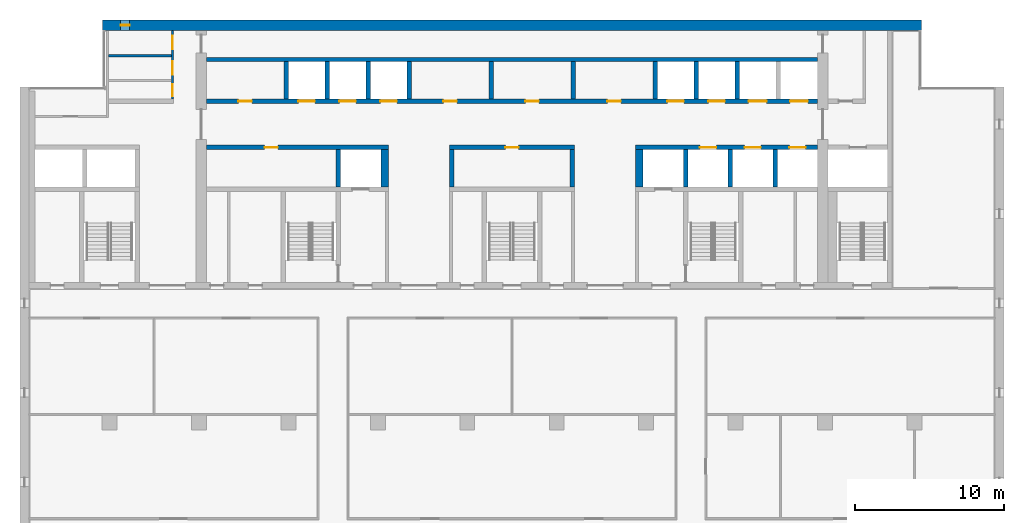
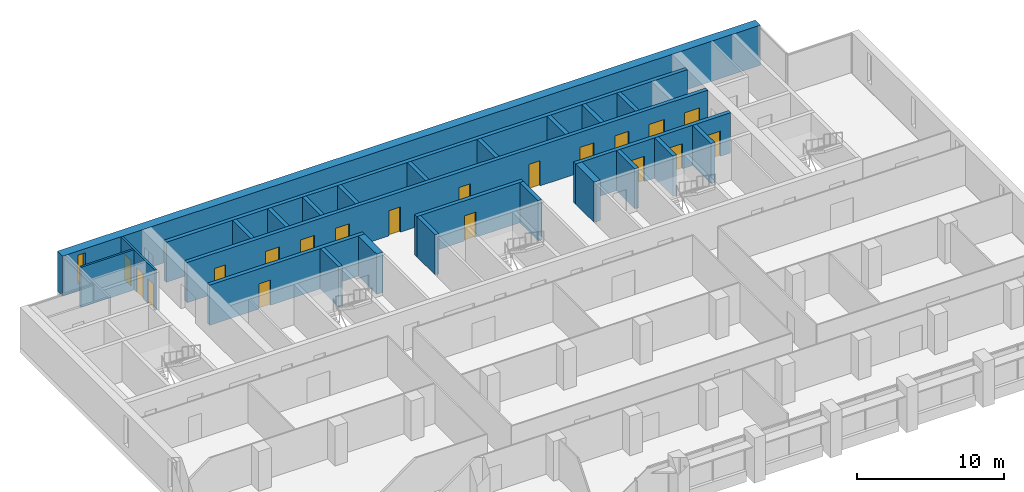
# One storey, part 11 of 17: 25 walls, 19 doors, 1 window, 20 openings.
"""IFC4 building model written with IfcOpenShell, lengths in metres."""

from ifc_helpers import new_model, si_unit, direction, frame, frame_2d, origin, place, context, subcontext, project, spatial, rectangle, extrude, material, layer, layer_set, type_object, element, fill, save


model = new_model("IFC4")

# Units and contexts
model_context = context("Model", 3, precision=1e-05, world=origin(), true_north=direction((0.0, 1.0)))
body_context = subcontext(model_context, "Body", "Model", "MODEL_VIEW")
ifc_project = project(units=[si_unit("LENGTHUNIT", "METRE"), si_unit("AREAUNIT", "SQUARE_METRE"), si_unit("VOLUMEUNIT", "CUBIC_METRE"), si_unit("PLANEANGLEUNIT", "RADIAN"), si_unit("MASSUNIT", "GRAM", prefix="KILO")], contexts=[model_context])

# Site, building, storey
site_placement = place(None, origin())
site = spatial("IfcSite", under=ifc_project, at=site_placement, CompositionType="ELEMENT")
building_placement = place(site_placement, origin())
building = spatial("IfcBuilding", under=site, at=building_placement, Name="Calvaro Tower", CompositionType="ELEMENT")
storey_placement = place(building_placement, frame((0.0, 0.0, 215.5)))
storey = spatial("IfcBuildingStorey", under=building, at=storey_placement, Name="L54", CompositionType="ELEMENT", Elevation=215.5)

# Wall
ifc_material_1 = material(Name="Blockwork partition", Category="masonry")
ifc_layer_1 = layer(ifc_material_1, 0.14990234375)
ifc_layer_set_1 = layer_set([ifc_layer_1], Name="Blockwork partition")
wall_type_1 = type_object("IfcWallType", Name="Core partition 150 EI 60", PredefinedType="PARTITIONING", material=ifc_layer_set_1)
wall_1_placement = place(storey_placement, frame((11.949951171875, 43.60009765625, 0.0), z_axis=(0.0, 0.0, 1.0), x_axis=(1.0, 0.0, 0.0)))
element("IfcWall", 1, at=wall_1_placement, inside=storey, type_object=wall_type_1, Name="Core partition", PredefinedType="PARTITIONING", context=body_context, shape_type="SweptSolid", body=[
    extrude(rectangle(XDim=4.199951171875, YDim=0.14990234375, at=frame_2d((2.10009765625, 0.0))), origin(), (0.0, 0.0, 1.0), 3.35009765625),
])

# Wall, openings, doors
ifc_material_2 = material(Name="Blockwork partition", Category="masonry")
ifc_layer_2 = layer(ifc_material_2, 0.14990234375)
ifc_layer_set_2 = layer_set([ifc_layer_2], Name="Blockwork partition")
wall_type_2 = type_object("IfcWallType", Name="Core partition 150 REI 120", PredefinedType="PARTITIONING", material=ifc_layer_set_2)
wall_2_placement = place(storey_placement, frame((16.22509765625, 45.300048828125, 0.0), z_axis=(0.0, 0.0, 1.0), x_axis=(0.0, -1.0, 0.0)))
wall_2 = element("IfcWall", 2, at=wall_2_placement, inside=storey, type_object=wall_type_2, Name="Core partition", PredefinedType="PARTITIONING", context=body_context, shape_type="SweptSolid", body=[
    extrude(rectangle(XDim=4.60009765625, YDim=0.14990234375, at=frame_2d((2.300048828125, 0.0))), origin(), (0.0, 0.0, 1.0), 3.35009765625),
])
opening_1_placement = place(wall_2_placement, frame((3.612548828125, 0.0, 0.0)))
opening_1 = element("IfcOpeningElement", 3, at=opening_1_placement, cuts=wall_2, Name="Opening RD8C", PredefinedType="OPENING", context=body_context, shape_type="SweptSolid", body=[
    extrude(rectangle(XDim=0.800048828125, YDim=2.10009765625, at=frame_2d((0.39990234375, 1.050048828125))), frame((0.0, 0.0849609375, 0.0), z_axis=(0.0, -1.0, 0.0), x_axis=(1.0, 0.0, 0.0)), (0.0, 0.0, 1.0), 0.169921875),
])
opening_2_placement = place(wall_2_placement, frame((2.074951171875, 0.0, 0.0)))
opening_2 = element("IfcOpeningElement", 4, at=opening_2_placement, cuts=wall_2, Name="Opening RD9", PredefinedType="OPENING", context=body_context, shape_type="SweptSolid", body=[
    extrude(rectangle(XDim=0.89990234375, YDim=2.10009765625, at=frame_2d((0.449951171875, 1.050048828125))), frame((0.0, 0.0849609375, 0.0), z_axis=(0.0, -1.0, 0.0), x_axis=(1.0, 0.0, 0.0)), (0.0, 0.0, 1.0), 0.169921875),
])
opening_3_placement = place(wall_2_placement, frame((0.362548828125, 0.0, 0.0)))
opening_3 = element("IfcOpeningElement", 5, at=opening_3_placement, cuts=wall_2, Name="Opening RD9", PredefinedType="OPENING", context=body_context, shape_type="SweptSolid", body=[
    extrude(rectangle(XDim=0.89990234375, YDim=2.10009765625, at=frame_2d((0.449951171875, 1.050048828125))), frame((0.0, 0.0849609375, 0.0), z_axis=(0.0, -1.0, 0.0), x_axis=(1.0, 0.0, 0.0)), (0.0, 0.0, 1.0), 0.169921875),
])
ifc_material_3 = material(Name="Steel door set", Category="steel")
door_type_1 = type_object("IfcDoorType", Name="Room door 800 FD30", OperationType="SINGLE_SWING_LEFT", PredefinedType="DOOR", material=ifc_material_3)
door_1_placement = place(opening_1_placement, origin())
door_1 = element("IfcDoor", 6, at=door_1_placement, inside=storey, type_object=door_type_1, Name="Room door", OperationType="SINGLE_SWING_RIGHT", OverallHeight=2.10009765625, OverallWidth=0.800048828125, PredefinedType="DOOR", context=body_context, shape_type="SweptSolid", body=[
    extrude(rectangle(XDim=0.800048828125, YDim=2.10009765625, at=frame_2d((0.39990234375, 1.050048828125))), frame((0.0, 0.02490234375, 0.0), z_axis=(0.0, -1.0, 0.0), x_axis=(1.0, 0.0, 0.0)), (0.0, 0.0, 1.0), 0.050048828125),
])
fill(opening_1, door_1)
ifc_material_4 = material(Name="Steel door set", Category="steel")
door_type_2 = type_object("IfcDoorType", Name="Room door 900", OperationType="SINGLE_SWING_LEFT", PredefinedType="DOOR", material=ifc_material_4)
door_2_placement = place(opening_2_placement, origin())
door_2 = element("IfcDoor", 7, at=door_2_placement, inside=storey, type_object=door_type_2, Name="Room door", OperationType="SINGLE_SWING_RIGHT", OverallHeight=2.10009765625, OverallWidth=0.89990234375, PredefinedType="DOOR", context=body_context, shape_type="SweptSolid", body=[
    extrude(rectangle(XDim=0.89990234375, YDim=2.10009765625, at=frame_2d((0.449951171875, 1.050048828125))), frame((0.0, 0.02490234375, 0.0), z_axis=(0.0, -1.0, 0.0), x_axis=(1.0, 0.0, 0.0)), (0.0, 0.0, 1.0), 0.050048828125),
])
fill(opening_2, door_2)
door_3_placement = place(opening_3_placement, origin())
door_3 = element("IfcDoor", 8, at=door_3_placement, inside=storey, type_object=door_type_2, Name="Room door", OperationType="SINGLE_SWING_RIGHT", OverallHeight=2.10009765625, OverallWidth=0.89990234375, PredefinedType="DOOR", context=body_context, shape_type="SweptSolid", body=[
    extrude(rectangle(XDim=0.89990234375, YDim=2.10009765625, at=frame_2d((0.449951171875, 1.050048828125))), frame((0.0, 0.02490234375, 0.0), z_axis=(0.0, -1.0, 0.0), x_axis=(1.0, 0.0, 0.0)), (0.0, 0.0, 1.0), 0.050048828125),
])
fill(opening_3, door_3)

# Walls
ifc_material_5 = material(Name="Blockwork partition", Category="masonry")
ifc_layer_3 = layer(ifc_material_5, 0.300048828125)
ifc_layer_set_3 = layer_set([ifc_layer_3], Name="Blockwork partition")
wall_type_3 = type_object("IfcWallType", Name="Core partition 300 EI 60", PredefinedType="PARTITIONING", material=ifc_layer_set_3)
wall_3_placement = place(storey_placement, frame((43.10009765625, 40.699951171875, 0.0), z_axis=(0.0, 0.0, 1.0), x_axis=(0.0, 1.0, 0.0)))
element("IfcWall", 9, at=wall_3_placement, inside=storey, type_object=wall_type_3, Name="Core partition", PredefinedType="PARTITIONING", context=body_context, shape_type="SweptSolid", body=[
    extrude(rectangle(XDim=2.5, YDim=0.300048828125, at=frame_2d((1.25, 0.0))), origin(), (0.0, 0.0, 1.0), 3.35009765625),
])
ifc_material_6 = material(Name="Blockwork partition", Category="masonry")
ifc_layer_4 = layer(ifc_material_6, 0.300048828125)
ifc_layer_set_4 = layer_set([ifc_layer_4], Name="Blockwork partition")
wall_type_4 = type_object("IfcWallType", Name="Core partition 300 REI 120", PredefinedType="PARTITIONING", material=ifc_layer_set_4)
wall_4_placement = place(storey_placement, frame((37.60009765625, 40.699951171875, 0.0), z_axis=(0.0, 0.0, 1.0), x_axis=(0.0, 1.0, 0.0)))
element("IfcWall", 10, at=wall_4_placement, inside=storey, type_object=wall_type_4, Name="Core partition", PredefinedType="PARTITIONING", context=body_context, shape_type="SweptSolid", body=[
    extrude(rectangle(XDim=2.5, YDim=0.300048828125, at=frame_2d((1.25, 0.0))), origin(), (0.0, 0.0, 1.0), 3.35009765625),
])

# Wall, opening, door
ifc_material_7 = material(Name="Concrete C50/60", Category="concrete")
ifc_layer_5 = layer(ifc_material_7, 0.300048828125)
ifc_layer_set_5 = layer_set([ifc_layer_5], Name="Concrete C50/60")
wall_type_5 = type_object("IfcWallType", Name="Core wall C50/60 300", PredefinedType="SHEAR", material=ifc_layer_set_5)
wall_5_placement = place(storey_placement, frame((30.699951171875, 37.449951171875, 0.0), z_axis=(0.0, 0.0, 1.0), x_axis=(-1.0, 0.0, 0.0)))
wall_5 = element("IfcWall", 11, at=wall_5_placement, inside=storey, type_object=wall_type_5, Name="Core wall, bay", PredefinedType="SHEAR", context=body_context, shape_type="SweptSolid", body=[
    extrude(rectangle(XDim=12.199951171875, YDim=0.300048828125, at=frame_2d((6.10009765625, 0.0))), origin(), (0.0, 0.0, 1.0), 3.35009765625),
])
opening_4_placement = place(wall_5_placement, frame((7.39990234375, 0.0, 0.0)))
opening_4 = element("IfcOpeningElement", 12, at=opening_4_placement, cuts=wall_5, Name="Opening RD9E", PredefinedType="OPENING", context=body_context, shape_type="SweptSolid", body=[
    extrude(rectangle(XDim=0.89990234375, YDim=2.10009765625, at=frame_2d((0.449951171875, 1.050048828125))), frame((0.0, 0.159912109375, 0.0), z_axis=(0.0, -1.0, 0.0), x_axis=(1.0, 0.0, 0.0)), (0.0, 0.0, 1.0), 0.320068359375),
])
ifc_material_8 = material(Name="Steel door set", Category="steel")
door_type_3 = type_object("IfcDoorType", Name="Room door 900 FD60", OperationType="SINGLE_SWING_LEFT", PredefinedType="DOOR", material=ifc_material_8)
door_4_placement = place(opening_4_placement, origin())
door_4 = element("IfcDoor", 13, at=door_4_placement, inside=storey, type_object=door_type_3, Name="Room door", OperationType="SINGLE_SWING_LEFT", OverallHeight=2.10009765625, OverallWidth=0.89990234375, PredefinedType="DOOR", context=body_context, shape_type="SweptSolid", body=[
    extrude(rectangle(XDim=0.89990234375, YDim=2.10009765625, at=frame_2d((0.449951171875, 1.050048828125))), frame((0.0, 0.02490234375, 0.0), z_axis=(0.0, -1.0, 0.0), x_axis=(1.0, 0.0, 0.0)), (0.0, 0.0, 1.0), 0.050048828125),
])
fill(opening_4, door_4)

wall_6_placement = place(storey_placement, frame((43.199951171875, 37.449951171875, 0.0), z_axis=(0.0, 0.0, 1.0), x_axis=(-1.0, 0.0, 0.0)))
wall_6 = element("IfcWall", 14, at=wall_6_placement, inside=storey, type_object=wall_type_5, Name="Core wall, bay", PredefinedType="SHEAR", context=body_context, shape_type="SweptSolid", body=[
    extrude(rectangle(XDim=8.39990234375, YDim=0.300048828125, at=frame_2d((4.199951171875, 0.0))), origin(), (0.0, 0.0, 1.0), 3.35009765625),
])
opening_5_placement = place(wall_6_placement, frame((3.75, 0.0, 0.0)))
opening_5 = element("IfcOpeningElement", 15, at=opening_5_placement, cuts=wall_6, Name="Opening RD9E", PredefinedType="OPENING", context=body_context, shape_type="SweptSolid", body=[
    extrude(rectangle(XDim=0.89990234375, YDim=2.10009765625, at=frame_2d((0.449951171875, 1.050048828125))), frame((0.0, 0.159912109375, 0.0), z_axis=(0.0, -1.0, 0.0), x_axis=(1.0, 0.0, 0.0)), (0.0, 0.0, 1.0), 0.320068359375),
])
door_5_placement = place(opening_5_placement, origin())
door_5 = element("IfcDoor", 16, at=door_5_placement, inside=storey, type_object=door_type_3, Name="Room door", OperationType="SINGLE_SWING_RIGHT", OverallHeight=2.10009765625, OverallWidth=0.89990234375, PredefinedType="DOOR", context=body_context, shape_type="SweptSolid", body=[
    extrude(rectangle(XDim=0.89990234375, YDim=2.10009765625, at=frame_2d((0.449951171875, 1.050048828125))), frame((0.0, 0.02490234375, 0.0), z_axis=(0.0, -1.0, 0.0), x_axis=(1.0, 0.0, 0.0)), (0.0, 0.0, 1.0), 0.050048828125),
])
fill(opening_5, door_5)

# Wall, openings, doors
wall_7_placement = place(storey_placement, frame((47.300048828125, 37.449951171875, 0.0), z_axis=(0.0, 0.0, 1.0), x_axis=(1.0, 0.0, 0.0)))
wall_7 = element("IfcWall", 17, at=wall_7_placement, inside=storey, type_object=wall_type_5, Name="Core wall, lift shaft", PredefinedType="SHEAR", context=body_context, shape_type="SweptSolid", body=[
    extrude(rectangle(XDim=12.199951171875, YDim=0.300048828125, at=frame_2d((6.10009765625, 0.0))), origin(), (0.0, 0.0, 1.0), 3.35009765625),
])
opening_6_placement = place(wall_7_placement, frame((4.300048828125, 0.0, 0.0)))
opening_6 = element("IfcOpeningElement", 18, at=opening_6_placement, cuts=wall_7, Name="Opening HR1", PredefinedType="OPENING", context=body_context, shape_type="SweptSolid", body=[
    extrude(rectangle(XDim=1.10009765625, YDim=2.10009765625, at=frame_2d((0.550048828125, 1.050048828125))), frame((0.0, 0.159912109375, 0.0), z_axis=(0.0, -1.0, 0.0), x_axis=(1.0, 0.0, 0.0)), (0.0, 0.0, 1.0), 0.320068359375),
])
opening_7_placement = place(wall_7_placement, frame((7.300048828125, 0.0, 0.0)))
opening_7 = element("IfcOpeningElement", 19, at=opening_7_placement, cuts=wall_7, Name="Opening HR2", PredefinedType="OPENING", context=body_context, shape_type="SweptSolid", body=[
    extrude(rectangle(XDim=1.10009765625, YDim=2.10009765625, at=frame_2d((0.550048828125, 1.050048828125))), frame((0.0, 0.159912109375, 0.0), z_axis=(0.0, -1.0, 0.0), x_axis=(1.0, 0.0, 0.0)), (0.0, 0.0, 1.0), 0.320068359375),
])
opening_8_placement = place(wall_7_placement, frame((10.300048828125, 0.0, 0.0)))
opening_8 = element("IfcOpeningElement", 20, at=opening_8_placement, cuts=wall_7, Name="Opening HR3", PredefinedType="OPENING", context=body_context, shape_type="SweptSolid", body=[
    extrude(rectangle(XDim=1.10009765625, YDim=2.10009765625, at=frame_2d((0.550048828125, 1.050048828125))), frame((0.0, 0.159912109375, 0.0), z_axis=(0.0, -1.0, 0.0), x_axis=(1.0, 0.0, 0.0)), (0.0, 0.0, 1.0), 0.320068359375),
])
ifc_material_9 = material(Name="Stainless steel", Category="steel")
door_type_4 = type_object("IfcDoorType", Name="Landing door 1100 E 60", OperationType="SLIDING_TO_LEFT", PredefinedType="DOOR", material=ifc_material_9)
door_6_placement = place(opening_6_placement, origin())
door_6 = element("IfcDoor", 21, at=door_6_placement, inside=storey, type_object=door_type_4, Name="Landing door HR1", OperationType="SLIDING_TO_LEFT", OverallHeight=2.10009765625, OverallWidth=1.10009765625, PredefinedType="DOOR", context=body_context, shape_type="SweptSolid", body=[
    extrude(rectangle(XDim=1.10009765625, YDim=2.10009765625, at=frame_2d((0.550048828125, 1.050048828125))), frame((0.0, 0.02490234375, 0.0), z_axis=(0.0, -1.0, 0.0), x_axis=(1.0, 0.0, 0.0)), (0.0, 0.0, 1.0), 0.050048828125),
])
fill(opening_6, door_6)
door_7_placement = place(opening_7_placement, origin())
door_7 = element("IfcDoor", 22, at=door_7_placement, inside=storey, type_object=door_type_4, Name="Landing door HR2", OperationType="SLIDING_TO_LEFT", OverallHeight=2.10009765625, OverallWidth=1.10009765625, PredefinedType="DOOR", context=body_context, shape_type="SweptSolid", body=[
    extrude(rectangle(XDim=1.10009765625, YDim=2.10009765625, at=frame_2d((0.550048828125, 1.050048828125))), frame((0.0, 0.02490234375, 0.0), z_axis=(0.0, -1.0, 0.0), x_axis=(1.0, 0.0, 0.0)), (0.0, 0.0, 1.0), 0.050048828125),
])
fill(opening_7, door_7)
door_8_placement = place(opening_8_placement, origin())
door_8 = element("IfcDoor", 23, at=door_8_placement, inside=storey, type_object=door_type_4, Name="Landing door HR3", OperationType="SLIDING_TO_LEFT", OverallHeight=2.10009765625, OverallWidth=1.10009765625, PredefinedType="DOOR", context=body_context, shape_type="SweptSolid", body=[
    extrude(rectangle(XDim=1.10009765625, YDim=2.10009765625, at=frame_2d((0.550048828125, 1.050048828125))), frame((0.0, 0.02490234375, 0.0), z_axis=(0.0, -1.0, 0.0), x_axis=(1.0, 0.0, 0.0)), (0.0, 0.0, 1.0), 0.050048828125),
])
fill(opening_8, door_8)

# Walls
for number, where, z_axis, x_axis, name in (
    (24, (27.35009765625, 34.800048828125, 0.0), (0.0, 0.0, 1.0), (0.0, 1.0, 0.0), "Core wall, lift shaft"),
    (25, (34.949951171875, 34.800048828125, 0.0), (0.0, 0.0, 1.0), (0.0, 1.0, 0.0), "Core wall, lift shaft"),
    (26, (43.050048828125, 34.800048828125, 0.0), (0.0, 0.0, 1.0), (0.0, 1.0, 0.0), "Core wall, lift shaft"),
    (27, (50.64990234375, 34.800048828125, 0.0), (0.0, 0.0, 1.0), (0.0, 1.0, 0.0), "Core wall, lift shaft"),
):
    element("IfcWall", number, at=place(storey_placement, frame(where, z_axis=z_axis, x_axis=x_axis)), inside=storey, type_object=wall_type_5, Name=name, PredefinedType="SHEAR", context=body_context, shape_type="SweptSolid", body=[
        extrude(rectangle(XDim=2.5, YDim=0.300048828125, at=frame_2d((1.25, 0.0))), origin(), (0.0, 0.0, 1.0), 3.35009765625),
    ])

# Wall, openings, doors
wall_8_placement = place(storey_placement, frame((18.5, 40.550048828125, 0.0), z_axis=(0.0, 0.0, 1.0), x_axis=(1.0, 0.0, 0.0)))
wall_8 = element("IfcWall", 28, at=wall_8_placement, inside=storey, type_object=wall_type_5, Name="Core wall, bay", PredefinedType="SHEAR", context=body_context, shape_type="SweptSolid", body=[
    extrude(rectangle(XDim=41.0, YDim=0.300048828125, at=frame_2d((20.5, 0.0))), origin(), (0.0, 0.0, 1.0), 3.35009765625),
])
opening_9_placement = place(wall_8_placement, frame((2.14990234375, 0.0, 0.0)))
opening_9 = element("IfcOpeningElement", 29, at=opening_9_placement, cuts=wall_8, Name="Opening RD9E", PredefinedType="OPENING", context=body_context, shape_type="SweptSolid", body=[
    extrude(rectangle(XDim=0.89990234375, YDim=2.10009765625, at=frame_2d((0.449951171875, 1.050048828125))), frame((0.0, 0.159912109375, 0.0), z_axis=(0.0, -1.0, 0.0), x_axis=(1.0, 0.0, 0.0)), (0.0, 0.0, 1.0), 0.320068359375),
])
opening_10_placement = place(wall_8_placement, frame((15.89990234375, 0.0, 0.0)))
opening_10 = element("IfcOpeningElement", 30, at=opening_10_placement, cuts=wall_8, Name="Opening RD9E", PredefinedType="OPENING", context=body_context, shape_type="SweptSolid", body=[
    extrude(rectangle(XDim=0.89990234375, YDim=2.10009765625, at=frame_2d((0.449951171875, 1.050048828125))), frame((0.0, 0.159912109375, 0.0), z_axis=(0.0, -1.0, 0.0), x_axis=(1.0, 0.0, 0.0)), (0.0, 0.0, 1.0), 0.320068359375),
])
opening_11_placement = place(wall_8_placement, frame((21.39990234375, 0.0, 0.0)))
opening_11 = element("IfcOpeningElement", 31, at=opening_11_placement, cuts=wall_8, Name="Opening RD9E", PredefinedType="OPENING", context=body_context, shape_type="SweptSolid", body=[
    extrude(rectangle(XDim=0.89990234375, YDim=2.10009765625, at=frame_2d((0.449951171875, 1.050048828125))), frame((0.0, 0.159912109375, 0.0), z_axis=(0.0, -1.0, 0.0), x_axis=(1.0, 0.0, 0.0)), (0.0, 0.0, 1.0), 0.320068359375),
])
opening_12_placement = place(wall_8_placement, frame((26.89990234375, 0.0, 0.0)))
opening_12 = element("IfcOpeningElement", 32, at=opening_12_placement, cuts=wall_8, Name="Opening RD9C", PredefinedType="OPENING", context=body_context, shape_type="SweptSolid", body=[
    extrude(rectangle(XDim=0.89990234375, YDim=2.10009765625, at=frame_2d((0.449951171875, 1.050048828125))), frame((0.0, 0.159912109375, 0.0), z_axis=(0.0, -1.0, 0.0), x_axis=(1.0, 0.0, 0.0)), (0.0, 0.0, 1.0), 0.320068359375),
])
opening_13_placement = place(wall_8_placement, frame((6.175048828125, 0.0, 0.0)))
opening_13 = element("IfcOpeningElement", 33, at=opening_13_placement, cuts=wall_8, Name="Opening HR4", PredefinedType="OPENING", context=body_context, shape_type="SweptSolid", body=[
    extrude(rectangle(XDim=1.10009765625, YDim=2.10009765625, at=frame_2d((0.550048828125, 1.050048828125))), frame((0.0, 0.159912109375, 0.0), z_axis=(0.0, -1.0, 0.0), x_axis=(1.0, 0.0, 0.0)), (0.0, 0.0, 1.0), 0.320068359375),
])
opening_14_placement = place(wall_8_placement, frame((8.925048828125, 0.0, 0.0)))
opening_14 = element("IfcOpeningElement", 34, at=opening_14_placement, cuts=wall_8, Name="Opening HR5", PredefinedType="OPENING", context=body_context, shape_type="SweptSolid", body=[
    extrude(rectangle(XDim=1.10009765625, YDim=2.10009765625, at=frame_2d((0.550048828125, 1.050048828125))), frame((0.0, 0.159912109375, 0.0), z_axis=(0.0, -1.0, 0.0), x_axis=(1.0, 0.0, 0.0)), (0.0, 0.0, 1.0), 0.320068359375),
])
opening_15_placement = place(wall_8_placement, frame((11.675048828125, 0.0, 0.0)))
opening_15 = element("IfcOpeningElement", 35, at=opening_15_placement, cuts=wall_8, Name="Opening HR6", PredefinedType="OPENING", context=body_context, shape_type="SweptSolid", body=[
    extrude(rectangle(XDim=1.10009765625, YDim=2.10009765625, at=frame_2d((0.550048828125, 1.050048828125))), frame((0.0, 0.159912109375, 0.0), z_axis=(0.0, -1.0, 0.0), x_axis=(1.0, 0.0, 0.0)), (0.0, 0.0, 1.0), 0.320068359375),
])
opening_16_placement = place(wall_8_placement, frame((30.925048828125, 0.0, 0.0)))
opening_16 = element("IfcOpeningElement", 36, at=opening_16_placement, cuts=wall_8, Name="Opening HR7", PredefinedType="OPENING", context=body_context, shape_type="SweptSolid", body=[
    extrude(rectangle(XDim=1.10009765625, YDim=2.10009765625, at=frame_2d((0.550048828125, 1.050048828125))), frame((0.0, 0.159912109375, 0.0), z_axis=(0.0, -1.0, 0.0), x_axis=(1.0, 0.0, 0.0)), (0.0, 0.0, 1.0), 0.320068359375),
])
opening_17_placement = place(wall_8_placement, frame((33.675048828125, 0.0, 0.0)))
opening_17 = element("IfcOpeningElement", 37, at=opening_17_placement, cuts=wall_8, Name="Opening HR8", PredefinedType="OPENING", context=body_context, shape_type="SweptSolid", body=[
    extrude(rectangle(XDim=1.10009765625, YDim=2.10009765625, at=frame_2d((0.550048828125, 1.050048828125))), frame((0.0, 0.159912109375, 0.0), z_axis=(0.0, -1.0, 0.0), x_axis=(1.0, 0.0, 0.0)), (0.0, 0.0, 1.0), 0.320068359375),
])
opening_18_placement = place(wall_8_placement, frame((36.375, 0.0, 0.0)))
opening_18 = element("IfcOpeningElement", 38, at=opening_18_placement, cuts=wall_8, Name="Opening SV1", PredefinedType="OPENING", context=body_context, shape_type="SweptSolid", body=[
    extrude(rectangle(XDim=1.199951171875, YDim=2.10009765625, at=frame_2d((0.60009765625, 1.050048828125))), frame((0.0, 0.159912109375, 0.0), z_axis=(0.0, -1.0, 0.0), x_axis=(1.0, 0.0, 0.0)), (0.0, 0.0, 1.0), 0.320068359375),
])
opening_19_placement = place(wall_8_placement, frame((39.14990234375, 0.0, 0.0)))
opening_19 = element("IfcOpeningElement", 39, at=opening_19_placement, cuts=wall_8, Name="Opening SV2", PredefinedType="OPENING", context=body_context, shape_type="SweptSolid", body=[
    extrude(rectangle(XDim=1.199951171875, YDim=2.10009765625, at=frame_2d((0.60009765625, 1.050048828125))), frame((0.0, 0.159912109375, 0.0), z_axis=(0.0, -1.0, 0.0), x_axis=(1.0, 0.0, 0.0)), (0.0, 0.0, 1.0), 0.320068359375),
])
door_9_placement = place(opening_13_placement, origin())
door_9 = element("IfcDoor", 40, at=door_9_placement, inside=storey, type_object=door_type_4, Name="Landing door HR4", OperationType="SLIDING_TO_LEFT", OverallHeight=2.10009765625, OverallWidth=1.10009765625, PredefinedType="DOOR", context=body_context, shape_type="SweptSolid", body=[
    extrude(rectangle(XDim=1.10009765625, YDim=2.10009765625, at=frame_2d((0.550048828125, 1.050048828125))), frame((0.0, 0.02490234375, 0.0), z_axis=(0.0, -1.0, 0.0), x_axis=(1.0, 0.0, 0.0)), (0.0, 0.0, 1.0), 0.050048828125),
])
fill(opening_13, door_9)
door_10_placement = place(opening_14_placement, origin())
door_10 = element("IfcDoor", 41, at=door_10_placement, inside=storey, type_object=door_type_4, Name="Landing door HR5", OperationType="SLIDING_TO_LEFT", OverallHeight=2.10009765625, OverallWidth=1.10009765625, PredefinedType="DOOR", context=body_context, shape_type="SweptSolid", body=[
    extrude(rectangle(XDim=1.10009765625, YDim=2.10009765625, at=frame_2d((0.550048828125, 1.050048828125))), frame((0.0, 0.02490234375, 0.0), z_axis=(0.0, -1.0, 0.0), x_axis=(1.0, 0.0, 0.0)), (0.0, 0.0, 1.0), 0.050048828125),
])
fill(opening_14, door_10)
door_11_placement = place(opening_15_placement, origin())
door_11 = element("IfcDoor", 42, at=door_11_placement, inside=storey, type_object=door_type_4, Name="Landing door HR6", OperationType="SLIDING_TO_LEFT", OverallHeight=2.10009765625, OverallWidth=1.10009765625, PredefinedType="DOOR", context=body_context, shape_type="SweptSolid", body=[
    extrude(rectangle(XDim=1.10009765625, YDim=2.10009765625, at=frame_2d((0.550048828125, 1.050048828125))), frame((0.0, 0.02490234375, 0.0), z_axis=(0.0, -1.0, 0.0), x_axis=(1.0, 0.0, 0.0)), (0.0, 0.0, 1.0), 0.050048828125),
])
fill(opening_15, door_11)
door_12_placement = place(opening_16_placement, origin())
door_12 = element("IfcDoor", 43, at=door_12_placement, inside=storey, type_object=door_type_4, Name="Landing door HR7", OperationType="SLIDING_TO_LEFT", OverallHeight=2.10009765625, OverallWidth=1.10009765625, PredefinedType="DOOR", context=body_context, shape_type="SweptSolid", body=[
    extrude(rectangle(XDim=1.10009765625, YDim=2.10009765625, at=frame_2d((0.550048828125, 1.050048828125))), frame((0.0, 0.02490234375, 0.0), z_axis=(0.0, -1.0, 0.0), x_axis=(1.0, 0.0, 0.0)), (0.0, 0.0, 1.0), 0.050048828125),
])
fill(opening_16, door_12)
door_13_placement = place(opening_17_placement, origin())
door_13 = element("IfcDoor", 44, at=door_13_placement, inside=storey, type_object=door_type_4, Name="Landing door HR8", OperationType="SLIDING_TO_LEFT", OverallHeight=2.10009765625, OverallWidth=1.10009765625, PredefinedType="DOOR", context=body_context, shape_type="SweptSolid", body=[
    extrude(rectangle(XDim=1.10009765625, YDim=2.10009765625, at=frame_2d((0.550048828125, 1.050048828125))), frame((0.0, 0.02490234375, 0.0), z_axis=(0.0, -1.0, 0.0), x_axis=(1.0, 0.0, 0.0)), (0.0, 0.0, 1.0), 0.050048828125),
])
fill(opening_17, door_13)
ifc_material_10 = material(Name="Stainless steel", Category="steel")
door_type_5 = type_object("IfcDoorType", Name="Landing door 1200 E 60", OperationType="SLIDING_TO_LEFT", PredefinedType="DOOR", material=ifc_material_10)
door_14_placement = place(opening_18_placement, origin())
door_14 = element("IfcDoor", 45, at=door_14_placement, inside=storey, type_object=door_type_5, Name="Landing door SV1", OperationType="SLIDING_TO_LEFT", OverallHeight=2.10009765625, OverallWidth=1.199951171875, PredefinedType="DOOR", context=body_context, shape_type="SweptSolid", body=[
    extrude(rectangle(XDim=1.199951171875, YDim=2.10009765625, at=frame_2d((0.60009765625, 1.050048828125))), frame((0.0, 0.02490234375, 0.0), z_axis=(0.0, -1.0, 0.0), x_axis=(1.0, 0.0, 0.0)), (0.0, 0.0, 1.0), 0.050048828125),
])
fill(opening_18, door_14)
door_15_placement = place(opening_19_placement, origin())
door_15 = element("IfcDoor", 46, at=door_15_placement, inside=storey, type_object=door_type_5, Name="Landing door SV2", OperationType="SLIDING_TO_LEFT", OverallHeight=2.10009765625, OverallWidth=1.199951171875, PredefinedType="DOOR", context=body_context, shape_type="SweptSolid", body=[
    extrude(rectangle(XDim=1.199951171875, YDim=2.10009765625, at=frame_2d((0.60009765625, 1.050048828125))), frame((0.0, 0.02490234375, 0.0), z_axis=(0.0, -1.0, 0.0), x_axis=(1.0, 0.0, 0.0)), (0.0, 0.0, 1.0), 0.050048828125),
])
fill(opening_19, door_15)
ifc_material_11 = material(Name="Steel door set", Category="steel")
door_type_6 = type_object("IfcDoorType", Name="Room door 900 FD30", OperationType="SINGLE_SWING_LEFT", PredefinedType="DOOR", material=ifc_material_11)
door_16_placement = place(opening_12_placement, origin())
door_16 = element("IfcDoor", 47, at=door_16_placement, inside=storey, type_object=door_type_6, Name="Room door", OperationType="SINGLE_SWING_LEFT", OverallHeight=2.10009765625, OverallWidth=0.89990234375, PredefinedType="DOOR", context=body_context, shape_type="SweptSolid", body=[
    extrude(rectangle(XDim=0.89990234375, YDim=2.10009765625, at=frame_2d((0.449951171875, 1.050048828125))), frame((0.0, 0.02490234375, 0.0), z_axis=(0.0, -1.0, 0.0), x_axis=(1.0, 0.0, 0.0)), (0.0, 0.0, 1.0), 0.050048828125),
])
fill(opening_12, door_16)
door_17_placement = place(opening_9_placement, origin())
door_17 = element("IfcDoor", 48, at=door_17_placement, inside=storey, type_object=door_type_3, Name="Room door", OperationType="SINGLE_SWING_RIGHT", OverallHeight=2.10009765625, OverallWidth=0.89990234375, PredefinedType="DOOR", context=body_context, shape_type="SweptSolid", body=[
    extrude(rectangle(XDim=0.89990234375, YDim=2.10009765625, at=frame_2d((0.449951171875, 1.050048828125))), frame((0.0, 0.02490234375, 0.0), z_axis=(0.0, -1.0, 0.0), x_axis=(1.0, 0.0, 0.0)), (0.0, 0.0, 1.0), 0.050048828125),
])
fill(opening_9, door_17)
door_18_placement = place(opening_10_placement, origin())
door_18 = element("IfcDoor", 49, at=door_18_placement, inside=storey, type_object=door_type_3, Name="Room door", OperationType="SINGLE_SWING_LEFT", OverallHeight=2.10009765625, OverallWidth=0.89990234375, PredefinedType="DOOR", context=body_context, shape_type="SweptSolid", body=[
    extrude(rectangle(XDim=0.89990234375, YDim=2.10009765625, at=frame_2d((0.449951171875, 1.050048828125))), frame((0.0, 0.02490234375, 0.0), z_axis=(0.0, -1.0, 0.0), x_axis=(1.0, 0.0, 0.0)), (0.0, 0.0, 1.0), 0.050048828125),
])
fill(opening_10, door_18)
door_19_placement = place(opening_11_placement, origin())
door_19 = element("IfcDoor", 50, at=door_19_placement, inside=storey, type_object=door_type_3, Name="Room door", OperationType="SINGLE_SWING_LEFT", OverallHeight=2.10009765625, OverallWidth=0.89990234375, PredefinedType="DOOR", context=body_context, shape_type="SweptSolid", body=[
    extrude(rectangle(XDim=0.89990234375, YDim=2.10009765625, at=frame_2d((0.449951171875, 1.050048828125))), frame((0.0, 0.02490234375, 0.0), z_axis=(0.0, -1.0, 0.0), x_axis=(1.0, 0.0, 0.0)), (0.0, 0.0, 1.0), 0.050048828125),
])
fill(opening_11, door_19)

# Walls
wall_9_placement = place(storey_placement, frame((18.5, 43.35009765625, 0.0), z_axis=(0.0, 0.0, 1.0), x_axis=(1.0, 0.0, 0.0)))
element("IfcWall", 51, at=wall_9_placement, inside=storey, type_object=wall_type_5, Name="Core wall, lift shaft", PredefinedType="SHEAR", context=body_context, shape_type="SweptSolid", body=[
    extrude(rectangle(XDim=41.0, YDim=0.300048828125, at=frame_2d((20.5, 0.0))), origin(), (0.0, 0.0, 1.0), 3.35009765625),
])
for number, where, z_axis, x_axis, name in (
    (52, (53.64990234375, 34.800048828125, 0.0), (0.0, 0.0, 1.0), (0.0, 1.0, 0.0), "Core wall, lift shaft"),
    (53, (56.64990234375, 34.800048828125, 0.0), (0.0, 0.0, 1.0), (0.0, 1.0, 0.0), "Core wall, lift shaft"),
    (54, (23.85009765625, 40.699951171875, 0.0), (0.0, 0.0, 1.0), (0.0, 1.0, 0.0), "Core wall, lift shaft"),
    (55, (26.60009765625, 40.699951171875, 0.0), (0.0, 0.0, 1.0), (0.0, 1.0, 0.0), "Core wall, lift shaft"),
    (56, (29.35009765625, 40.699951171875, 0.0), (0.0, 0.0, 1.0), (0.0, 1.0, 0.0), "Core wall, lift shaft"),
    (57, (32.10009765625, 40.699951171875, 0.0), (0.0, 0.0, 1.0), (0.0, 1.0, 0.0), "Core wall, lift shaft"),
    (58, (48.60009765625, 40.699951171875, 0.0), (0.0, 0.0, 1.0), (0.0, 1.0, 0.0), "Core wall, lift shaft"),
    (59, (51.35009765625, 40.699951171875, 0.0), (0.0, 0.0, 1.0), (0.0, 1.0, 0.0), "Core wall, lift shaft"),
    (60, (54.10009765625, 40.699951171875, 0.0), (0.0, 0.0, 1.0), (0.0, 1.0, 0.0), "Core wall, lift shaft"),
):
    element("IfcWall", number, at=place(storey_placement, frame(where, z_axis=z_axis, x_axis=x_axis)), inside=storey, type_object=wall_type_5, Name=name, PredefinedType="SHEAR", context=body_context, shape_type="SweptSolid", body=[
        extrude(rectangle(XDim=2.5, YDim=0.300048828125, at=frame_2d((1.25, 0.0))), origin(), (0.0, 0.0, 1.0), 3.35009765625),
    ])
ifc_material_12 = material(Name="Concrete C50/60", Category="concrete")
ifc_layer_6 = layer(ifc_material_12, 0.5)
ifc_layer_set_6 = layer_set([ifc_layer_6], Name="Concrete C50/60")
wall_type_6 = type_object("IfcWallType", Name="Core wall C50/60 500", PredefinedType="SHEAR", material=ifc_layer_set_6)
for number, where, z_axis, x_axis, name in (
    (61, (30.449951171875, 34.800048828125, 0.0), (0.0, 0.0, 1.0), (0.0, 1.0, 0.0), "Core wall, lift shaft"),
    (62, (47.550048828125, 34.800048828125, 0.0), (0.0, 0.0, 1.0), (0.0, 1.0, 0.0), "Core wall, lift shaft"),
):
    element("IfcWall", number, at=place(storey_placement, frame(where, z_axis=z_axis, x_axis=x_axis)), inside=storey, type_object=wall_type_6, Name=name, PredefinedType="SHEAR", context=body_context, shape_type="SweptSolid", body=[
        extrude(rectangle(XDim=2.5, YDim=0.5, at=frame_2d((1.25, 0.0))), origin(), (0.0, 0.0, 1.0), 3.35009765625),
    ])

# Wall, opening, window
ifc_material_13 = material(Name="Concrete C50/60", Category="concrete")
ifc_layer_7 = layer(ifc_material_13, 0.699951171875)
ifc_layer_set_7 = layer_set([ifc_layer_7], Name="Concrete C50/60")
wall_type_7 = type_object("IfcWallType", Name="Rear core wall 700 C50/60", PredefinedType="SHEAR", material=ifc_layer_set_7)
wall_10_placement = place(storey_placement, frame((11.550048828125, 45.64990234375, 0.0), z_axis=(0.0, 0.0, 1.0), x_axis=(1.0, 0.0, 0.0)))
wall_10 = element("IfcWall", 63, at=wall_10_placement, inside=storey, type_object=wall_type_7, Name="North core wall", PredefinedType="SHEAR", context=body_context, shape_type="SweptSolid", body=[
    extrude(rectangle(XDim=54.89990234375, YDim=0.699951171875, at=frame_2d((27.449951171875, 0.0))), origin(), (0.0, 0.0, 1.0), 3.35009765625),
])
opening_20_placement = place(wall_10_placement, frame((1.199951171875, 0.0, 0.60009765625)))
opening_20 = element("IfcOpeningElement", 64, at=opening_20_placement, cuts=wall_10, Name="Opening WN01", PredefinedType="OPENING", context=body_context, shape_type="SweptSolid", body=[
    extrude(rectangle(XDim=0.60009765625, YDim=2.39990234375, at=frame_2d((0.300048828125, 1.199951171875))), frame((0.0, 0.35986328125, 0.0), z_axis=(0.0, -1.0, 0.0), x_axis=(1.0, 0.0, 0.0)), (0.0, 0.0, 1.0), 0.719970703125),
])
ifc_material_14 = material(Name="Glass", Category="glass")
window_type = type_object("IfcWindowType", Name="Slit window 600 x 2400", PartitioningType="SINGLE_PANEL", PredefinedType="WINDOW", material=ifc_material_14)
window_placement = place(opening_20_placement, origin())
window = element("IfcWindow", 65, at=window_placement, inside=storey, type_object=window_type, Name="Window WN01", OverallHeight=2.39990234375, OverallWidth=0.60009765625, PartitioningType="SINGLE_PANEL", PredefinedType="WINDOW", context=body_context, shape_type="SweptSolid", body=[
    extrude(rectangle(XDim=0.60009765625, YDim=2.39990234375, at=frame_2d((0.300048828125, 1.199951171875))), frame((0.0, 0.030029296875, 0.0), z_axis=(0.0, -1.0, 0.0), x_axis=(1.0, 0.0, 0.0)), (0.0, 0.0, 1.0), 0.06005859375),
])
fill(opening_20, window)

save(model, "model.ifc")
